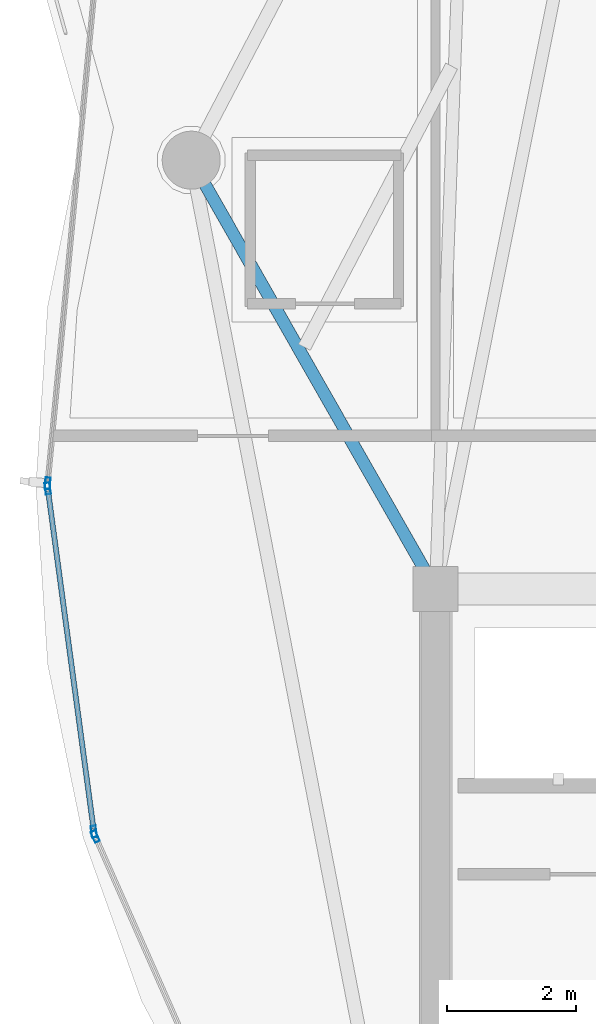
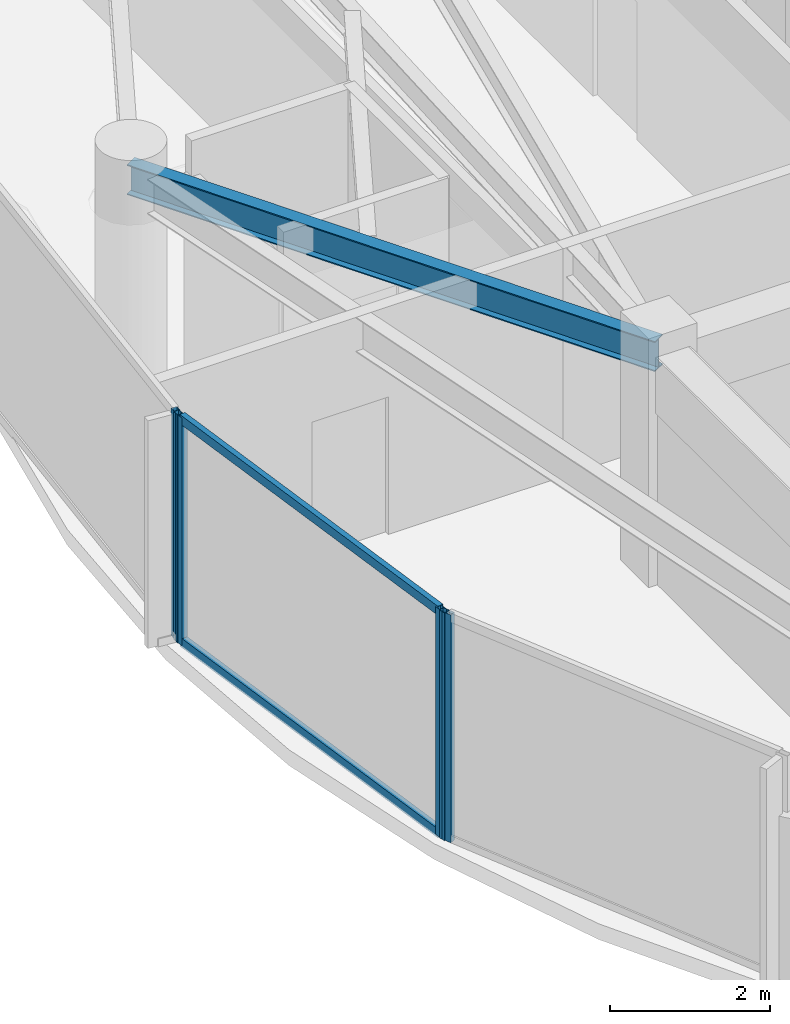
# One storey, part 7 of 22: 6 members, 1 beam, 3 elements without a shape of their own.
"""IFC4 building model written with IfcOpenShell, lengths in metres."""

from ifc_helpers import new_model, si_unit, direction, frame, origin, origin_2d, place, context, subcontext, project, spatial, hollow_rectangle, i_section, extrude, material, layer, layer_set, material_profile, profile_set, type_object, element, aggregate, save


model = new_model("IFC4")

# Units and contexts
model_context = context("Model", 3, precision=1e-05, world=origin(), true_north=direction((0.0, 1.0)))
body_context = subcontext(model_context, "Body", "Model", "MODEL_VIEW")
ifc_project = project(units=[si_unit("LENGTHUNIT", "METRE"), si_unit("AREAUNIT", "SQUARE_METRE"), si_unit("VOLUMEUNIT", "CUBIC_METRE"), si_unit("PLANEANGLEUNIT", "RADIAN"), si_unit("MASSUNIT", "GRAM", prefix="KILO")], contexts=[model_context])

# Site, building, storey
site_placement = place(None, origin())
site = spatial("IfcSite", under=ifc_project, at=site_placement, CompositionType="ELEMENT")
building_placement = place(site_placement, origin())
building = spatial("IfcBuilding", under=site, at=building_placement, Name="Kazevale Care Tower and Concert Hall", CompositionType="ELEMENT")
storey_placement = place(building_placement, frame((0.0, 0.0, 277.60009765625)))
storey = spatial("IfcBuildingStorey", under=building, at=storey_placement, Name="L73", CompositionType="ELEMENT", Elevation=277.60009765625)

# Curtain wall, member
ifc_material_1 = material(Name="Aluminium 6063-T6 and Low-E Glass", Category="aluminium")
ifc_layer = layer(ifc_material_1, 0.179931640625)
ifc_layer_set = layer_set([ifc_layer], Name="Aluminium 6063-T6 and Low-E Glass")
curtain_wall_type = type_object("IfcCurtainWallType", Name="Waist & Upper Residential Curtain Wall CW-4", PredefinedType="NOTDEFINED", material=ifc_layer_set)
curtain_wall_1_placement = place(storey_placement, origin())
curtain_wall_1 = element("IfcCurtainWall", 1, at=curtain_wall_1_placement, inside=storey, type_object=curtain_wall_type, Name="cw:L73:f07", PredefinedType="NOTDEFINED")
ifc_material_2 = material(Name="Aluminium 6063-T6", Category="aluminium")
ifc_material_profile_1 = material_profile(ifc_material_2, hollow_rectangle(XDim=0.080078125, YDim=0.179931640625, WallThickness=0.0048828125, at=origin_2d()), Name="ALU80x180x5")
ifc_profile_set_1 = profile_set([ifc_material_profile_1], Name="Aluminium 6063-T6")
member_type_1 = type_object("IfcMemberType", Name="CW-4 Mullion ALU80x180x5", PredefinedType="MULLION", material=ifc_profile_set_1)
member_1_placement = place(storey_placement, frame((16.72216796875, 32.5634765625, 0.0), z_axis=(0.0, 0.0, 1.0), x_axis=(-0.914936245618, -0.403598397488, 0.0)))
member_1 = element("IfcMember", 2, at=member_1_placement, type_object=member_type_1, Name="CW-4 mullion 2", PredefinedType="MULLION", context=body_context, shape_type="SweptSolid", body=[
    extrude(hollow_rectangle(XDim=0.080078125, YDim=0.179931640625, WallThickness=0.0048828125, at=origin_2d()), origin(), (0.0, 0.0, 1.0), 3.47998046875),
])
aggregate(curtain_wall_1, [member_1])

# Curtain wall, members
curtain_wall_2_placement = place(storey_placement, origin())
curtain_wall_2 = element("IfcCurtainWall", 3, at=curtain_wall_2_placement, inside=storey, type_object=curtain_wall_type, Name="cw:L73:f08", PredefinedType="NOTDEFINED")
member_2_placement = place(storey_placement, frame((16.70068359375, 32.6396484375, 0.0), z_axis=(0.0, 0.0, 1.0), x_axis=(-0.991083047722, -0.133245609751, 0.0)))
member_2 = element("IfcMember", 4, at=member_2_placement, type_object=member_type_1, Name="CW-4 mullion 1", PredefinedType="MULLION", context=body_context, shape_type="SweptSolid", body=[
    extrude(hollow_rectangle(XDim=0.080078125, YDim=0.179931640625, WallThickness=0.0048828125, at=origin_2d()), origin(), (0.0, 0.0, 1.0), 3.47998046875),
])
member_3_placement = place(storey_placement, frame((15.9853515625, 37.96044921875, 0.0), z_axis=(0.0, 0.0, 1.0), x_axis=(-0.991083047722, -0.133245609751, 0.0)))
member_3 = element("IfcMember", 5, at=member_3_placement, type_object=member_type_1, Name="CW-4 mullion 2", PredefinedType="MULLION", context=body_context, shape_type="SweptSolid", body=[
    extrude(hollow_rectangle(XDim=0.080078125, YDim=0.179931640625, WallThickness=0.0048828125, at=origin_2d()), origin(), (0.0, 0.0, 1.0), 3.47998046875),
])

# Curtain wall, member
curtain_wall_3_placement = place(storey_placement, origin())
curtain_wall_3 = element("IfcCurtainWall", 6, at=curtain_wall_3_placement, inside=storey, type_object=curtain_wall_type, Name="cw:L73:f09", PredefinedType="NOTDEFINED")
member_4_placement = place(storey_placement, frame((15.98388671875, 38.039794921875, 0.0), z_axis=(0.0, 0.0, 1.0), x_axis=(-0.995549708489, 0.094237879477, 0.0)))
member_4 = element("IfcMember", 7, at=member_4_placement, type_object=member_type_1, Name="CW-4 mullion 1", PredefinedType="MULLION", context=body_context, shape_type="SweptSolid", body=[
    extrude(hollow_rectangle(XDim=0.080078125, YDim=0.179931640625, WallThickness=0.0048828125, at=origin_2d()), origin(), (0.0, 0.0, 1.0), 3.47998046875),
])
aggregate(curtain_wall_3, [member_4])

# Member
ifc_material_profile_2 = material_profile(ifc_material_2, hollow_rectangle(XDim=0.080078125, YDim=0.139892578125, WallThickness=0.00390625, at=origin_2d()), Name="ALU80x140x4")
ifc_profile_set_2 = profile_set([ifc_material_profile_2], Name="Aluminium 6063-T6")
member_type_2 = type_object("IfcMemberType", Name="CW-4 Transom ALU80x140x4", PredefinedType="USERDEFINED", material=ifc_profile_set_2)
member_5_placement = place(storey_placement, frame((16.6953125, 32.67919921875, 0.039794921875), z_axis=(-0.133228026352, 0.991085411554, 0.0), x_axis=(-0.991085411554, -0.133228026352, 0.0)))
member_5 = element("IfcMember", 8, at=member_5_placement, type_object=member_type_2, Name="CW-4 transom 1.1", ObjectType="TRANSOM", PredefinedType="USERDEFINED", context=body_context, shape_type="SweptSolid", body=[
    extrude(hollow_rectangle(XDim=0.080078125, YDim=0.139892578125, WallThickness=0.00390625, at=origin_2d()), origin(), (0.0, 0.0, 1.0), 5.28857421875),
])

member_6_placement = place(storey_placement, frame((16.6953125, 32.67919921875, 3.43994140625), z_axis=(-0.133228026352, 0.991085411554, 0.0), x_axis=(-0.991085411554, -0.133228026352, 0.0)))
member_6 = element("IfcMember", 9, at=member_6_placement, type_object=member_type_2, Name="CW-4 transom 1.2", ObjectType="TRANSOM", PredefinedType="USERDEFINED", context=body_context, shape_type="SweptSolid", body=[
    extrude(hollow_rectangle(XDim=0.080078125, YDim=0.139892578125, WallThickness=0.00390625, at=origin_2d()), origin(), (0.0, 0.0, 1.0), 5.28857421875),
])

aggregate(curtain_wall_2, [member_2, member_3, member_5, member_6])

# Beam
ifc_material_3 = material(Name="Steel ASTM A572 Gr 50", Category="steel")
ifc_material_profile_3 = material_profile(ifc_material_3, i_section(OverallWidth=0.19091796875, OverallDepth=0.4599609375, WebThickness=0.010009765625, FlangeThickness=0.01611328125, at=origin_2d()), Name="W460x82")
ifc_profile_set_3 = profile_set([ifc_material_profile_3], Name="Steel ASTM A572 Gr 50")
beam_type = type_object("IfcBeamType", Name="Radial Floor Beam W460x82", PredefinedType="BEAM", material=ifc_profile_set_3)
beam_placement = place(storey_placement, frame((22.0, 36.39990234375, 3.25), z_axis=(-0.495149357892, 0.868807869082, 0.0), x_axis=(-0.868807869082, -0.495149357892, 0.0)))
element("IfcBeam", 10, at=beam_placement, inside=storey, type_object=beam_type, Name="beam:L73:rad:09", PredefinedType="BEAM", context=body_context, shape_type="SweptSolid", body=[
    extrude(i_section(OverallWidth=0.19091796875, OverallDepth=0.4599609375, WebThickness=0.010009765625, FlangeThickness=0.01611328125, at=origin_2d()), origin(), (0.0, 0.0, 1.0), 7.654296875),
])

save(model, "model.ifc")
